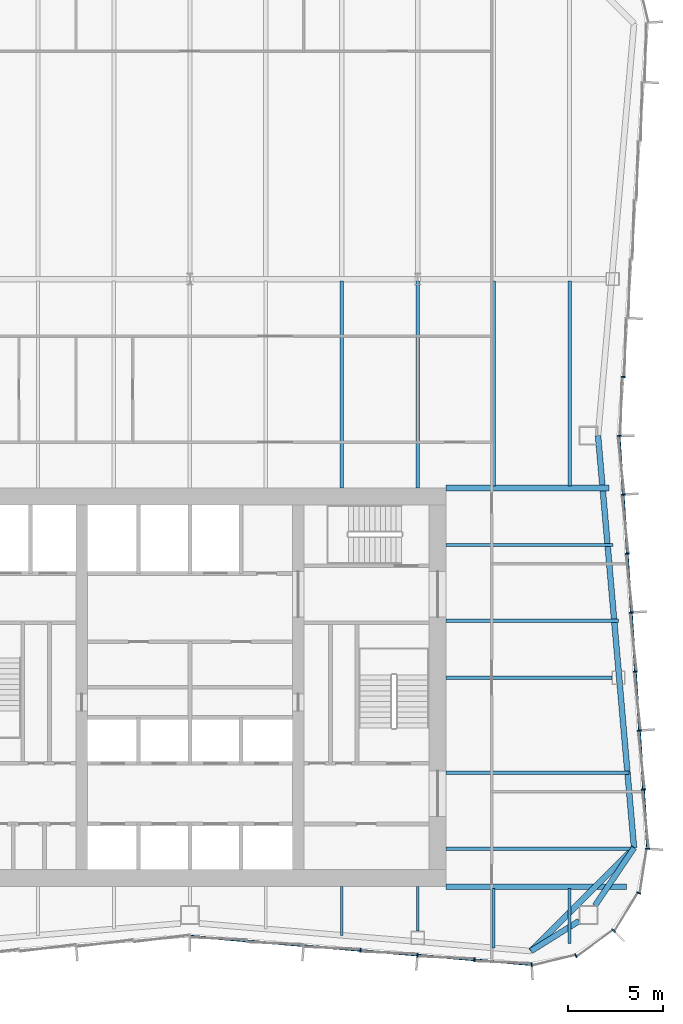
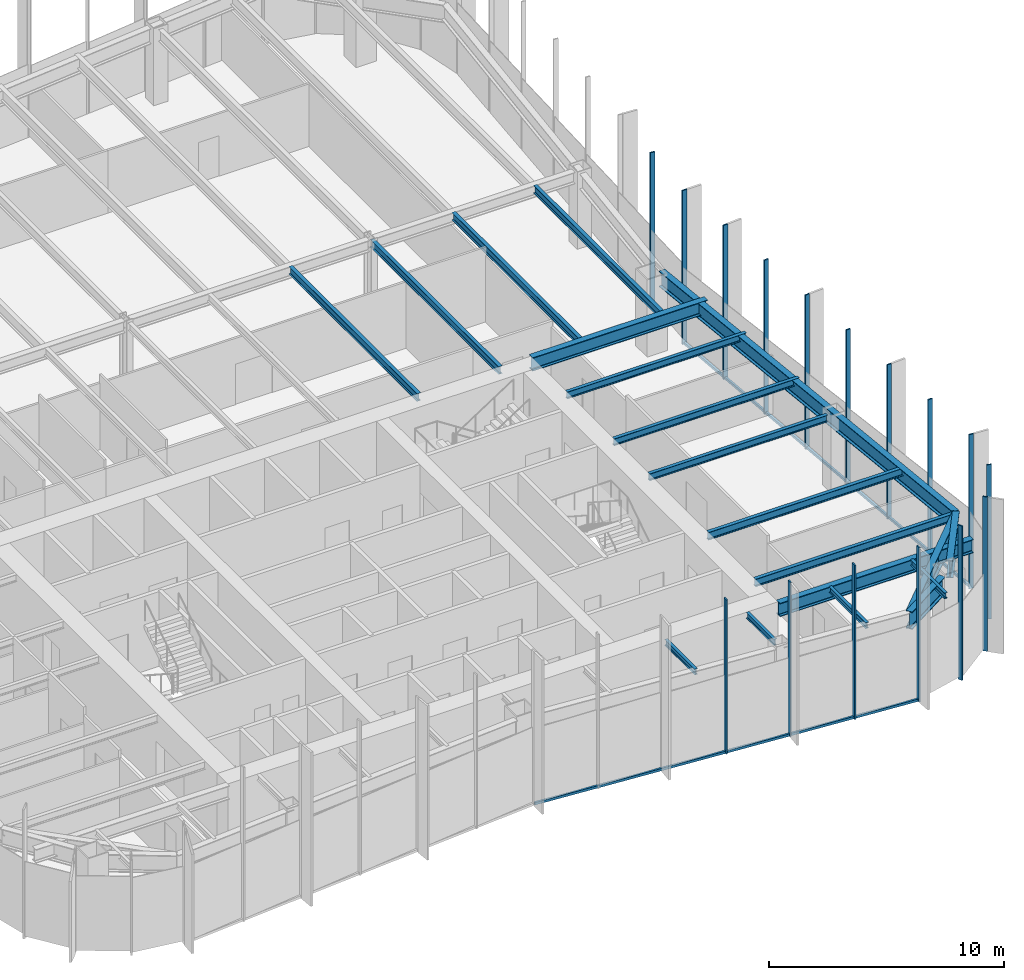
# One storey, part 4 of 13: 19 beams, 18 members, 3 elements without a shape of their own.
"""IFC4 building model written with IfcOpenShell, lengths in metres."""

from ifc_helpers import new_model, si_unit, direction, frame, origin, origin_2d, place, context, subcontext, project, spatial, rectangle, i_section, extrude, material, material_profile, profile_set, type_object, element, aggregate, save


model = new_model("IFC4")

# Units and contexts
model_context = context("Model", 3, precision=1e-05, world=origin(), true_north=direction((0.0, 1.0)))
body_context = subcontext(model_context, "Body", "Model", "MODEL_VIEW")
ifc_project = project(units=[si_unit("LENGTHUNIT", "METRE"), si_unit("AREAUNIT", "SQUARE_METRE"), si_unit("VOLUMEUNIT", "CUBIC_METRE"), si_unit("PLANEANGLEUNIT", "RADIAN"), si_unit("MASSUNIT", "GRAM", prefix="KILO")], contexts=[model_context])

# Site, building, storey
site_placement = place(None, origin())
site = spatial("IfcSite", under=ifc_project, at=site_placement, CompositionType="ELEMENT")
building_placement = place(site_placement, origin())
building = spatial("IfcBuilding", under=site, at=building_placement, Name="Verdant Reach Tower", CompositionType="ELEMENT")
storey_placement = place(building_placement, frame((0.0, 0.0, 218.0)))
storey = spatial("IfcBuildingStorey", under=building, at=storey_placement, Name="L50", CompositionType="ELEMENT", Elevation=218.0)

# Curtain wall, members
ifc_material_1 = material(Name="Anodised aluminium", Category="aluminium")
curtain_wall_type = type_object("IfcCurtainWallType", Name="EN-CW SYSTEM Z3", PredefinedType="NOTDEFINED", material=ifc_material_1)
curtain_wall_1_placement = place(storey_placement, origin())
curtain_wall_1 = element("IfcCurtainWall", 1, at=curtain_wall_1_placement, inside=storey, type_object=curtain_wall_type, Name="Curtain wall south-east corner, L50", PredefinedType="NOTDEFINED")
ifc_material_profile_1 = material_profile(ifc_material_1, rectangle(XDim=0.218017578125, YDim=0.06591796875, at=origin_2d()), Name="Mullion 66x218")
ifc_profile_set_1 = profile_set([ifc_material_profile_1], Name="Anodised aluminium")
member_type_1 = type_object("IfcMemberType", Name="EN-MULLION Z3", PredefinedType="MULLION", material=ifc_profile_set_1)
member_1_placement = place(storey_placement, frame((18.006103515625, 13.39111328125, -0.35009765625), z_axis=(0.0, 0.0, 1.0), x_axis=(0.056569187765, -0.998398681387, 0.0)))
member_1 = element("IfcMember", 2, at=member_1_placement, type_object=member_type_1, Name="Mullion south-east corner 1, L50", PredefinedType="MULLION", context=body_context, shape_type="SweptSolid", body=[
    extrude(rectangle(XDim=0.218017578125, YDim=0.06591796875, at=origin_2d()), origin(), (0.0, 0.0, 1.0), 8.0),
])
member_2_placement = place(storey_placement, frame((20.337890625, 13.85595703125, -0.35009765625), z_axis=(0.0, 0.0, 1.0), x_axis=(0.382693853776, -0.923875215753, 0.0)))
member_2 = element("IfcMember", 3, at=member_2_placement, type_object=member_type_1, Name="Mullion south-east corner 2, L50", PredefinedType="MULLION", context=body_context, shape_type="SweptSolid", body=[
    extrude(rectangle(XDim=0.218017578125, YDim=0.06591796875, at=origin_2d()), origin(), (0.0, 0.0, 1.0), 8.0),
])
member_3_placement = place(storey_placement, frame((22.319580078125, 15.180419921875, -0.35009765625), z_axis=(0.0, 0.0, 1.0), x_axis=(0.707106781187, -0.707106781187, 0.0)))
member_3 = element("IfcMember", 4, at=member_3_placement, type_object=member_type_1, Name="Mullion south-east corner 3, L50", PredefinedType="MULLION", context=body_context, shape_type="SweptSolid", body=[
    extrude(rectangle(XDim=0.218017578125, YDim=0.06591796875, at=origin_2d()), origin(), (0.0, 0.0, 1.0), 8.0),
])
member_4_placement = place(storey_placement, frame((23.64404296875, 17.162109375, -0.35009765625), z_axis=(0.0, 0.0, 1.0), x_axis=(0.923875215753, -0.382693853776, 0.0)))
member_4 = element("IfcMember", 5, at=member_4_placement, type_object=member_type_1, Name="Mullion south-east corner 4, L50", PredefinedType="MULLION", context=body_context, shape_type="SweptSolid", body=[
    extrude(rectangle(XDim=0.218017578125, YDim=0.06591796875, at=origin_2d()), origin(), (0.0, 0.0, 1.0), 8.0),
])
aggregate(curtain_wall_1, [member_1, member_2, member_3, member_4])

curtain_wall_2_placement = place(storey_placement, origin())
curtain_wall_2 = element("IfcCurtainWall", 6, at=curtain_wall_2_placement, inside=storey, type_object=curtain_wall_type, Name="Curtain wall east, L50", PredefinedType="NOTDEFINED")
member_5_placement = place(storey_placement, frame((24.10888671875, 19.4931640625, -0.35009765625), z_axis=(0.0, 0.0, 1.0), x_axis=(0.997969180898, -0.063698618332, 0.0)))
member_5 = element("IfcMember", 7, at=member_5_placement, type_object=member_type_1, Name="Mullion east face part 1 1, L50", PredefinedType="MULLION", context=body_context, shape_type="SweptSolid", body=[
    extrude(rectangle(XDim=0.218017578125, YDim=0.06591796875, at=origin_2d()), origin(), (0.0, 0.0, 1.0), 8.0),
])
member_6_placement = place(storey_placement, frame((23.89453125, 22.61474609375, -0.35009765625), z_axis=(0.0, 0.0, 1.0), x_axis=(0.997630328423, 0.068802091615, 0.0)))
member_6 = element("IfcMember", 8, at=member_6_placement, type_object=member_type_1, Name="Mullion east face part 1 2, L50", PredefinedType="MULLION", context=body_context, shape_type="SweptSolid", body=[
    extrude(rectangle(XDim=0.218017578125, YDim=0.06591796875, at=origin_2d()), origin(), (0.0, 0.0, 1.0), 8.0),
])
member_7_placement = place(storey_placement, frame((23.68017578125, 25.7216796875, -0.35009765625), z_axis=(0.0, 0.0, 1.0), x_axis=(0.997630328423, 0.068802091615, 0.0)))
member_7 = element("IfcMember", 9, at=member_7_placement, type_object=member_type_1, Name="Mullion east face part 1 3, L50", PredefinedType="MULLION", context=body_context, shape_type="SweptSolid", body=[
    extrude(rectangle(XDim=0.218017578125, YDim=0.06591796875, at=origin_2d()), origin(), (0.0, 0.0, 1.0), 8.0),
])
member_8_placement = place(storey_placement, frame((23.4658203125, 28.828857421875, -0.35009765625), z_axis=(0.0, 0.0, 1.0), x_axis=(0.997630328423, 0.068802091615, 0.0)))
member_8 = element("IfcMember", 10, at=member_8_placement, type_object=member_type_1, Name="Mullion east face part 1 4, L50", PredefinedType="MULLION", context=body_context, shape_type="SweptSolid", body=[
    extrude(rectangle(XDim=0.218017578125, YDim=0.06591796875, at=origin_2d()), origin(), (0.0, 0.0, 1.0), 8.0),
])
member_9_placement = place(storey_placement, frame((23.251708984375, 31.93603515625, -0.35009765625), z_axis=(0.0, 0.0, 1.0), x_axis=(0.997630328423, 0.068802091615, 0.0)))
member_9 = element("IfcMember", 11, at=member_9_placement, type_object=member_type_1, Name="Mullion east face part 1 5, L50", PredefinedType="MULLION", context=body_context, shape_type="SweptSolid", body=[
    extrude(rectangle(XDim=0.218017578125, YDim=0.06591796875, at=origin_2d()), origin(), (0.0, 0.0, 1.0), 8.0),
])
member_10_placement = place(storey_placement, frame((23.037353515625, 35.043212890625, -0.35009765625), z_axis=(0.0, 0.0, 1.0), x_axis=(0.997630328423, 0.068802091615, 0.0)))
member_10 = element("IfcMember", 12, at=member_10_placement, type_object=member_type_1, Name="Mullion east face part 1 6, L50", PredefinedType="MULLION", context=body_context, shape_type="SweptSolid", body=[
    extrude(rectangle(XDim=0.218017578125, YDim=0.06591796875, at=origin_2d()), origin(), (0.0, 0.0, 1.0), 8.0),
])
member_11_placement = place(storey_placement, frame((22.822998046875, 38.150390625, -0.35009765625), z_axis=(0.0, 0.0, 1.0), x_axis=(0.997630328423, 0.068802091615, 0.0)))
member_11 = element("IfcMember", 13, at=member_11_placement, type_object=member_type_1, Name="Mullion east face part 1 7, L50", PredefinedType="MULLION", context=body_context, shape_type="SweptSolid", body=[
    extrude(rectangle(XDim=0.218017578125, YDim=0.06591796875, at=origin_2d()), origin(), (0.0, 0.0, 1.0), 8.0),
])
member_12_placement = place(storey_placement, frame((22.60888671875, 41.25, -0.35009765625), z_axis=(0.0, 0.0, 1.0), x_axis=(1.0, 0.0, 0.0)))
member_12 = element("IfcMember", 14, at=member_12_placement, type_object=member_type_1, Name="Mullion east face part 2 1, L50", PredefinedType="MULLION", context=body_context, shape_type="SweptSolid", body=[
    extrude(rectangle(XDim=0.218017578125, YDim=0.06591796875, at=origin_2d()), origin(), (0.0, 0.0, 1.0), 8.0),
])
member_13_placement = place(storey_placement, frame((22.822998046875, 44.349609375, -0.35009765625), z_axis=(0.0, 0.0, 1.0), x_axis=(0.997630328423, -0.068802091615, 0.0)))
member_13 = element("IfcMember", 15, at=member_13_placement, type_object=member_type_1, Name="Mullion east face part 2 2, L50", PredefinedType="MULLION", context=body_context, shape_type="SweptSolid", body=[
    extrude(rectangle(XDim=0.218017578125, YDim=0.06591796875, at=origin_2d()), origin(), (0.0, 0.0, 1.0), 8.0),
])

curtain_wall_3_placement = place(storey_placement, origin())
curtain_wall_3 = element("IfcCurtainWall", 16, at=curtain_wall_3_placement, inside=storey, type_object=curtain_wall_type, Name="Curtain wall south, L50", PredefinedType="NOTDEFINED")
member_14_placement = place(storey_placement, frame((8.990966796875, 14.141357421875, -0.35009765625), z_axis=(0.0, 0.0, 1.0), x_axis=(-0.083045479859, -0.996545758244, 0.0)))
member_14 = element("IfcMember", 17, at=member_14_placement, type_object=member_type_1, Name="Mullion south face part 2 4, L50", PredefinedType="MULLION", context=body_context, shape_type="SweptSolid", body=[
    extrude(rectangle(XDim=0.218017578125, YDim=0.06591796875, at=origin_2d()), origin(), (0.0, 0.0, 1.0), 8.0),
])
member_15_placement = place(storey_placement, frame((11.990966796875, 13.891357421875, -0.35009765625), z_axis=(0.0, 0.0, 1.0), x_axis=(-0.083045479859, -0.996545758244, 0.0)))
member_15 = element("IfcMember", 18, at=member_15_placement, type_object=member_type_1, Name="Mullion south face part 2 5, L50", PredefinedType="MULLION", context=body_context, shape_type="SweptSolid", body=[
    extrude(rectangle(XDim=0.218017578125, YDim=0.06591796875, at=origin_2d()), origin(), (0.0, 0.0, 1.0), 8.0),
])
member_16_placement = place(storey_placement, frame((14.990966796875, 13.641357421875, -0.35009765625), z_axis=(0.0, 0.0, 1.0), x_axis=(-0.083045479859, -0.996545758244, 0.0)))
member_16 = element("IfcMember", 19, at=member_16_placement, type_object=member_type_1, Name="Mullion south face part 2 6, L50", PredefinedType="MULLION", context=body_context, shape_type="SweptSolid", body=[
    extrude(rectangle(XDim=0.218017578125, YDim=0.06591796875, at=origin_2d()), origin(), (0.0, 0.0, 1.0), 8.0),
])

# Member
ifc_material_profile_2 = material_profile(ifc_material_1, rectangle(XDim=0.10009765625, YDim=0.1259765625, at=origin_2d()), Name="Transom 126x100")
ifc_profile_set_2 = profile_set([ifc_material_profile_2], Name="Anodised aluminium")
member_type_2 = type_object("IfcMemberType", Name="EN-TRANSOM Z3", PredefinedType="USERDEFINED", material=ifc_profile_set_2)
member_17_placement = place(storey_placement, frame((24.1064453125, 19.52587890625, -0.287109375), z_axis=(-0.068764326054, 0.997632932226, 0.0), x_axis=(-0.997632932226, -0.068764326054, 0.0)))
member_17 = element("IfcMember", 20, at=member_17_placement, type_object=member_type_2, Name="Transom east face part 1 1.1, L50", ObjectType="TRANSOM", PredefinedType="USERDEFINED", context=body_context, shape_type="SweptSolid", body=[
    extrude(rectangle(XDim=0.10009765625, YDim=0.1259765625, at=origin_2d()), origin(), (0.0, 0.0, 1.0), 21.74267578125),
])

aggregate(curtain_wall_2, [member_5, member_6, member_7, member_8, member_9, member_10, member_11, member_17, member_12, member_13])

member_18_placement = place(storey_placement, frame((0.032958984375, 14.88818359375, -0.287109375), z_axis=(0.996548750467, -0.083009565369, 0.0), x_axis=(0.083009565369, 0.996548750467, 0.0)))
member_18 = element("IfcMember", 21, at=member_18_placement, type_object=member_type_2, Name="Transom south face part 2 1.1, L50", ObjectType="TRANSOM", PredefinedType="USERDEFINED", context=body_context, shape_type="SweptSolid", body=[
    extrude(rectangle(XDim=0.10009765625, YDim=0.1259765625, at=origin_2d()), origin(), (0.0, 0.0, 1.0), 18.00244140625),
])

aggregate(curtain_wall_3, [member_14, member_15, member_16, member_18])

# Beams
ifc_material_2 = material(Name="Steel S355", Category="steel")
ifc_material_profile_3 = material_profile(ifc_material_2, i_section(OverallWidth=0.300048828125, OverallDepth=0.699951171875, WebThickness=0.01708984375, FlangeThickness=0.031982421875, FilletRadius=0.027099609375, at=origin_2d()), Name="HEB 700")
ifc_profile_set_3 = profile_set([ifc_material_profile_3], Name="Steel S355")
beam_type_1 = type_object("IfcBeamType", Name="ST-BEAM-HEB700", PredefinedType="BEAM", material=ifc_profile_set_3)
beam_1_placement = place(storey_placement, frame((13.5, 38.5, 3.52001953125), z_axis=(1.0, 0.0, 0.0), x_axis=(0.0, 1.0, 0.0)))
element("IfcBeam", 22, at=beam_1_placement, inside=storey, type_object=beam_type_1, Name="Trimmer beam, L50", PredefinedType="BEAM", context=body_context, shape_type="SweptSolid", body=[
    extrude(i_section(OverallWidth=0.300048828125, OverallDepth=0.699951171875, WebThickness=0.01708984375, FlangeThickness=0.031982421875, FilletRadius=0.027099609375, at=origin_2d()), origin(), (0.0, 0.0, 1.0), 8.588134765625),
])
beam_2_placement = place(storey_placement, frame((13.5, 17.5, 3.52001953125), z_axis=(1.0, 0.0, 0.0), x_axis=(0.0, 1.0, 0.0)))
element("IfcBeam", 23, at=beam_2_placement, inside=storey, type_object=beam_type_1, Name="Trimmer beam, L50", PredefinedType="BEAM", context=body_context, shape_type="SweptSolid", body=[
    extrude(i_section(OverallWidth=0.300048828125, OverallDepth=0.699951171875, WebThickness=0.01708984375, FlangeThickness=0.031982421875, FilletRadius=0.027099609375, at=origin_2d()), origin(), (0.0, 0.0, 1.0), 9.490478515625),
])
ifc_material_profile_4 = material_profile(ifc_material_2, i_section(OverallWidth=0.302001953125, OverallDepth=0.909912109375, WebThickness=0.02099609375, FlangeThickness=0.0400390625, FilletRadius=0.030029296875, at=origin_2d()), Name="HEM 900")
ifc_profile_set_4 = profile_set([ifc_material_profile_4], Name="Steel S355")
beam_type_2 = type_object("IfcBeamType", Name="ST-BEAM-HEM900", PredefinedType="BEAM", material=ifc_profile_set_4)
beam_3_placement = place(storey_placement, frame((20.5, 15.687744140625, 3.4150390625), z_axis=(-0.848163521635, -0.529734500073, 0.0), x_axis=(0.529734500073, -0.848163521635, 0.0)))
element("IfcBeam", 24, at=beam_3_placement, inside=storey, type_object=beam_type_2, Name="Column stub beam, L50", PredefinedType="BEAM", context=body_context, shape_type="SweptSolid", body=[
    extrude(i_section(OverallWidth=0.302001953125, OverallDepth=0.909912109375, WebThickness=0.02099609375, FlangeThickness=0.0400390625, FilletRadius=0.030029296875, at=origin_2d()), origin(), (0.0, 0.0, 1.0), 2.98779296875),
])
beam_4_placement = place(storey_placement, frame((21.33837890625, 16.5, 3.4150390625), z_axis=(0.560703975309, 0.828016335631, 0.0), x_axis=(-0.828016335631, 0.560703975309, 0.0)))
element("IfcBeam", 25, at=beam_4_placement, inside=storey, type_object=beam_type_2, Name="Column stub beam, L50", PredefinedType="BEAM", context=body_context, shape_type="SweptSolid", body=[
    extrude(i_section(OverallWidth=0.302001953125, OverallDepth=0.909912109375, WebThickness=0.02099609375, FlangeThickness=0.0400390625, FilletRadius=0.030029296875, at=origin_2d()), origin(), (0.0, 0.0, 1.0), 3.669677734375),
])
ifc_material_profile_5 = material_profile(ifc_material_2, i_section(OverallWidth=0.14990234375, OverallDepth=0.300048828125, WebThickness=0.007080078125, FlangeThickness=0.0107421875, FilletRadius=0.014892578125, at=origin_2d()), Name="IPE 300")
ifc_profile_set_5 = profile_set([ifc_material_profile_5], Name="Steel S355")
beam_type_3 = type_object("IfcBeamType", Name="ST-JOIST-IPE300", PredefinedType="JOIST", material=ifc_profile_set_5)
beam_5_placement = place(storey_placement, frame((8.0, 17.5, 3.719970703125), z_axis=(0.0, -1.0, 0.0), x_axis=(1.0, 0.0, 0.0)))
element("IfcBeam", 26, at=beam_5_placement, inside=storey, type_object=beam_type_3, Name="Floor joist, L50", PredefinedType="JOIST", context=body_context, shape_type="SweptSolid", body=[
    extrude(i_section(OverallWidth=0.14990234375, OverallDepth=0.300048828125, WebThickness=0.007080078125, FlangeThickness=0.0107421875, FilletRadius=0.014892578125, at=origin_2d()), origin(), (0.0, 0.0, 1.0), 2.564697265625),
])
beam_6_placement = place(storey_placement, frame((12.0, 17.5, 3.719970703125), z_axis=(0.0, -1.0, 0.0), x_axis=(1.0, 0.0, 0.0)))
element("IfcBeam", 27, at=beam_6_placement, inside=storey, type_object=beam_type_3, Name="Floor joist, L50", PredefinedType="JOIST", context=body_context, shape_type="SweptSolid", body=[
    extrude(i_section(OverallWidth=0.14990234375, OverallDepth=0.300048828125, WebThickness=0.007080078125, FlangeThickness=0.0107421875, FilletRadius=0.014892578125, at=origin_2d()), origin(), (0.0, 0.0, 1.0), 2.35009765625),
])
beam_7_placement = place(storey_placement, frame((16.0, 17.39990234375, 3.719970703125), z_axis=(0.0, -1.0, 0.0), x_axis=(1.0, 0.0, 0.0)))
element("IfcBeam", 28, at=beam_7_placement, inside=storey, type_object=beam_type_3, Name="Floor joist, L50", PredefinedType="JOIST", context=body_context, shape_type="SweptSolid", body=[
    extrude(i_section(OverallWidth=0.14990234375, OverallDepth=0.300048828125, WebThickness=0.007080078125, FlangeThickness=0.0107421875, FilletRadius=0.014892578125, at=origin_2d()), origin(), (0.0, 0.0, 1.0), 3.131103515625),
])
beam_8_placement = place(storey_placement, frame((20.0, 17.39990234375, 3.719970703125), z_axis=(0.0, -1.0, 0.0), x_axis=(1.0, 0.0, 0.0)))
element("IfcBeam", 29, at=beam_8_placement, inside=storey, type_object=beam_type_3, Name="Floor joist, L50", PredefinedType="JOIST", context=body_context, shape_type="SweptSolid", body=[
    extrude(i_section(OverallWidth=0.14990234375, OverallDepth=0.300048828125, WebThickness=0.007080078125, FlangeThickness=0.0107421875, FilletRadius=0.014892578125, at=origin_2d()), origin(), (0.0, 0.0, 1.0), 2.890380859375),
])
ifc_material_profile_6 = material_profile(ifc_material_2, i_section(OverallWidth=0.169921875, OverallDepth=0.360107421875, WebThickness=0.008056640625, FlangeThickness=0.0126953125, FilletRadius=0.01806640625, at=origin_2d()), Name="IPE 360")
ifc_profile_set_6 = profile_set([ifc_material_profile_6], Name="Steel S355")
beam_type_4 = type_object("IfcBeamType", Name="ST-JOIST-IPE360", PredefinedType="JOIST", material=ifc_profile_set_6)
beam_9_placement = place(storey_placement, frame((13.5, 28.5, 3.68994140625), z_axis=(1.0, 0.0, 0.0), x_axis=(0.0, 1.0, 0.0)))
element("IfcBeam", 30, at=beam_9_placement, inside=storey, type_object=beam_type_4, Name="Floor joist, L50", PredefinedType="JOIST", context=body_context, shape_type="SweptSolid", body=[
    extrude(i_section(OverallWidth=0.169921875, OverallDepth=0.360107421875, WebThickness=0.008056640625, FlangeThickness=0.0126953125, FilletRadius=0.01806640625, at=origin_2d()), origin(), (0.0, 0.0, 1.0), 8.729248046875),
])
beam_10_placement = place(storey_placement, frame((13.5, 31.5, 3.68994140625), z_axis=(1.0, 0.0, 0.0), x_axis=(0.0, 1.0, 0.0)))
element("IfcBeam", 31, at=beam_10_placement, inside=storey, type_object=beam_type_4, Name="Floor joist, L50", PredefinedType="JOIST", context=body_context, shape_type="SweptSolid", body=[
    extrude(i_section(OverallWidth=0.169921875, OverallDepth=0.360107421875, WebThickness=0.008056640625, FlangeThickness=0.0126953125, FilletRadius=0.01806640625, at=origin_2d()), origin(), (0.0, 0.0, 1.0), 9.071044921875),
])
beam_11_placement = place(storey_placement, frame((13.5, 35.5, 3.68994140625), z_axis=(1.0, 0.0, 0.0), x_axis=(0.0, 1.0, 0.0)))
element("IfcBeam", 32, at=beam_11_placement, inside=storey, type_object=beam_type_4, Name="Floor joist, L50", PredefinedType="JOIST", context=body_context, shape_type="SweptSolid", body=[
    extrude(i_section(OverallWidth=0.169921875, OverallDepth=0.360107421875, WebThickness=0.008056640625, FlangeThickness=0.0126953125, FilletRadius=0.01806640625, at=origin_2d()), origin(), (0.0, 0.0, 1.0), 8.795166015625),
])
ifc_material_profile_7 = material_profile(ifc_material_2, i_section(OverallWidth=0.179931640625, OverallDepth=0.39990234375, WebThickness=0.008544921875, FlangeThickness=0.013427734375, FilletRadius=0.02099609375, at=origin_2d()), Name="IPE 400")
ifc_profile_set_7 = profile_set([ifc_material_profile_7], Name="Steel S355")
beam_type_5 = type_object("IfcBeamType", Name="ST-JOIST-IPE400", PredefinedType="JOIST", material=ifc_profile_set_7)
for number, where, z_axis, x_axis, name in (
    (33, (8.0, 38.5, 3.669921875), (0.0, 1.0, 0.0), (-1.0, 0.0, 0.0), "Floor joist, L50"),
    (34, (12.0, 38.5, 3.669921875), (0.0, 1.0, 0.0), (-1.0, 0.0, 0.0), "Floor joist, L50"),
):
    element("IfcBeam", number, at=place(storey_placement, frame(where, z_axis=z_axis, x_axis=x_axis)), inside=storey, type_object=beam_type_5, Name=name, PredefinedType="JOIST", context=body_context, shape_type="SweptSolid", body=[
        extrude(i_section(OverallWidth=0.179931640625, OverallDepth=0.39990234375, WebThickness=0.008544921875, FlangeThickness=0.013427734375, FilletRadius=0.02099609375, at=origin_2d()), origin(), (0.0, 0.0, 1.0), 10.89990234375),
    ])
for number, where, z_axis, x_axis, name in (
    (35, (16.0, 38.60009765625, 3.669921875), (0.0, 1.0, 0.0), (-1.0, 0.0, 0.0), "Floor joist, L50"),
    (36, (20.0, 38.60009765625, 3.669921875), (0.0, 1.0, 0.0), (-1.0, 0.0, 0.0), "Floor joist, L50"),
):
    element("IfcBeam", number, at=place(storey_placement, frame(where, z_axis=z_axis, x_axis=x_axis)), inside=storey, type_object=beam_type_5, Name=name, PredefinedType="JOIST", context=body_context, shape_type="SweptSolid", body=[
        extrude(i_section(OverallWidth=0.179931640625, OverallDepth=0.39990234375, WebThickness=0.008544921875, FlangeThickness=0.013427734375, FilletRadius=0.02099609375, at=origin_2d()), origin(), (0.0, 0.0, 1.0), 10.7998046875),
    ])
beam_12_placement = place(storey_placement, frame((13.5, 19.5, 3.669921875), z_axis=(1.0, 0.0, 0.0), x_axis=(0.0, 1.0, 0.0)))
element("IfcBeam", 37, at=beam_12_placement, inside=storey, type_object=beam_type_5, Name="Floor joist, L50", PredefinedType="JOIST", context=body_context, shape_type="SweptSolid", body=[
    extrude(i_section(OverallWidth=0.179931640625, OverallDepth=0.39990234375, WebThickness=0.008544921875, FlangeThickness=0.013427734375, FilletRadius=0.02099609375, at=origin_2d()), origin(), (0.0, 0.0, 1.0), 9.88818359375),
])
beam_13_placement = place(storey_placement, frame((13.5, 23.5, 3.669921875), z_axis=(1.0, 0.0, 0.0), x_axis=(0.0, 1.0, 0.0)))
element("IfcBeam", 38, at=beam_13_placement, inside=storey, type_object=beam_type_5, Name="Floor joist, L50", PredefinedType="JOIST", context=body_context, shape_type="SweptSolid", body=[
    extrude(i_section(OverallWidth=0.179931640625, OverallDepth=0.39990234375, WebThickness=0.008544921875, FlangeThickness=0.013427734375, FilletRadius=0.02099609375, at=origin_2d()), origin(), (0.0, 0.0, 1.0), 9.622802734375),
])
ifc_material_profile_8 = material_profile(ifc_material_2, i_section(OverallWidth=0.300048828125, OverallDepth=0.800048828125, WebThickness=0.017578125, FlangeThickness=0.032958984375, FilletRadius=0.030029296875, at=origin_2d()), Name="HEB 800")
ifc_profile_set_8 = profile_set([ifc_material_profile_8], Name="Steel S355")
beam_type_6 = type_object("IfcBeamType", Name="ST-SPANDREL-HEB800", PredefinedType="SPANDREL", material=ifc_profile_set_8)
beam_14_placement = place(storey_placement, frame((21.5, 41.25, 3.469970703125), z_axis=(0.086996024331, -0.996208658741, 0.0), x_axis=(0.996208658741, 0.086996024331, 0.0)))
element("IfcBeam", 39, at=beam_14_placement, inside=storey, type_object=beam_type_6, Name="Edge beam, L50", PredefinedType="SPANDREL", context=body_context, shape_type="SweptSolid", body=[
    extrude(i_section(OverallWidth=0.300048828125, OverallDepth=0.800048828125, WebThickness=0.017578125, FlangeThickness=0.032958984375, FilletRadius=0.030029296875, at=origin_2d()), origin(), (0.0, 0.0, 1.0), 21.7939453125),
])
ifc_material_profile_9 = material_profile(ifc_material_2, i_section(OverallWidth=0.302001953125, OverallDepth=0.909912109375, WebThickness=0.02099609375, FlangeThickness=0.0400390625, FilletRadius=0.030029296875, at=origin_2d()), Name="HEM 900")
ifc_profile_set_9 = profile_set([ifc_material_profile_9], Name="Steel S355")
beam_type_7 = type_object("IfcBeamType", Name="ST-SPANDREL-HEM900", PredefinedType="SPANDREL", material=ifc_profile_set_9)
beam_15_placement = place(storey_placement, frame((23.39599609375, 19.53857421875, 3.4150390625), z_axis=(-0.706884275642, -0.707329216738, 0.0), x_axis=(0.707329216738, -0.706884275642, 0.0)))
element("IfcBeam", 40, at=beam_15_placement, inside=storey, type_object=beam_type_7, Name="Edge beam, L50", PredefinedType="SPANDREL", context=body_context, shape_type="SweptSolid", body=[
    extrude(i_section(OverallWidth=0.302001953125, OverallDepth=0.909912109375, WebThickness=0.02099609375, FlangeThickness=0.0400390625, FilletRadius=0.030029296875, at=origin_2d()), origin(), (0.0, 0.0, 1.0), 7.681884765625),
])

save(model, "model.ifc")
